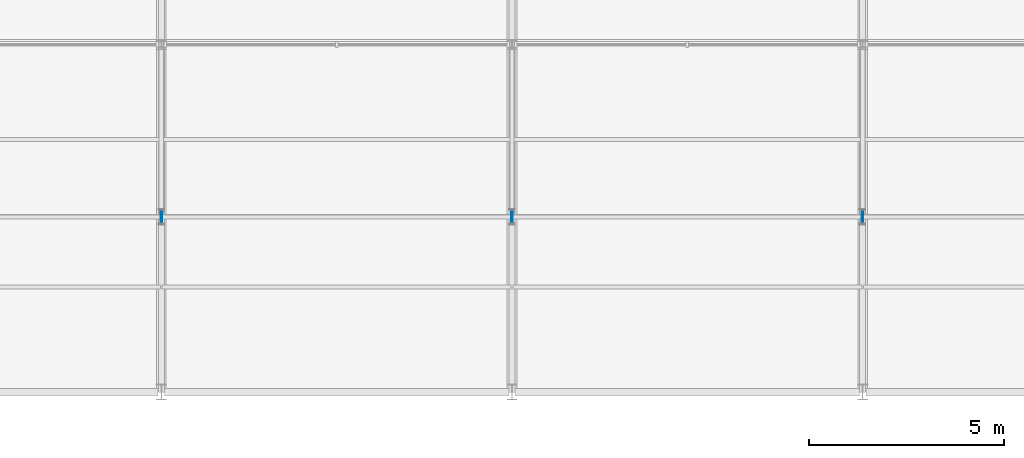
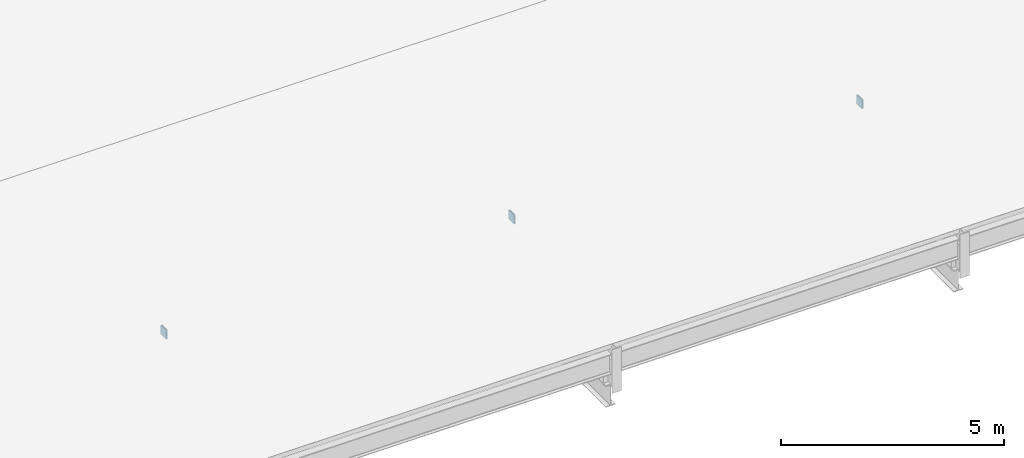
# One storey, part 134 of 163: 6 plates.
"""IFC4 building model written with IfcOpenShell, lengths in metres."""

from ifc_helpers import new_model, si_unit, direction, frame, origin, origin_2d, place, context, subcontext, project, spatial, rectangle, extrude, material, layer, layer_set, type_object, element, save


model = new_model("IFC4")

# Units and contexts
model_context = context("Model", 3, precision=1e-05, world=origin(), true_north=direction((0.0, 1.0)))
body_context = subcontext(model_context, "Body", "Model", "MODEL_VIEW")
ifc_project = project(units=[si_unit("LENGTHUNIT", "METRE"), si_unit("AREAUNIT", "SQUARE_METRE"), si_unit("VOLUMEUNIT", "CUBIC_METRE"), si_unit("PLANEANGLEUNIT", "RADIAN"), si_unit("MASSUNIT", "GRAM", prefix="KILO")], contexts=[model_context])

# Site, building, storey
site_placement = place(None, origin())
site = spatial("IfcSite", under=ifc_project, at=site_placement, CompositionType="ELEMENT")
building_placement = place(site_placement, origin())
building = spatial("IfcBuilding", under=site, at=building_placement, Name="Tharagai Park Tramway Depot", CompositionType="ELEMENT")
storey_placement = place(building_placement, frame((0.0, 0.0, 8.39990234375)))
storey = spatial("IfcBuildingStorey", under=building, at=storey_placement, Name="L02", CompositionType="ELEMENT", Elevation=8.39990234375)

# Plates
ifc_material = material(Name="Steel E350", Category="steel")
ifc_layer = layer(ifc_material, 0.011962890625)
ifc_layer_set = layer_set([ifc_layer], Name="Steel E350")
plate_type = type_object("IfcPlateType", Name="GP-04", PredefinedType="SHEET", material=ifc_layer_set)
for number, where, z_axis, x_axis, name in (
    (1, (98.986083984375, 94.5, 1.821533203125), (0.0, 0.0, 1.0), (1.0, 0.0, 0.0), "Tube End Cap Plate GP-04"),
    (2, (99.013916015625, 94.5, 1.821533203125), (0.0, 0.0, 1.0), (1.0, 0.0, 0.0), "Tube End Cap Plate GP-04"),
    (3, (107.986083984375, 94.5, 1.821533203125), (0.0, 0.0, 1.0), (1.0, 0.0, 0.0), "Tube End Cap Plate GP-04"),
    (4, (108.013916015625, 94.5, 1.821533203125), (0.0, 0.0, 1.0), (1.0, 0.0, 0.0), "Tube End Cap Plate GP-04"),
    (5, (116.986083984375, 94.5, 1.821533203125), (0.0, 0.0, 1.0), (1.0, 0.0, 0.0), "Tube End Cap Plate GP-04"),
    (6, (117.013916015625, 94.5, 1.821533203125), (0.0, 0.0, 1.0), (1.0, 0.0, 0.0), "Tube End Cap Plate GP-04"),
):
    element("IfcPlate", number, at=place(storey_placement, frame(where, z_axis=z_axis, x_axis=x_axis)), inside=storey, type_object=plate_type, Name=name, PredefinedType="SHEET", context=body_context, shape_type="SweptSolid", body=[
        extrude(rectangle(XDim=0.011962890625, YDim=0.25, at=origin_2d()), origin(), (0.0, 0.0, 1.0), 0.25),
    ])

save(model, "model.ifc")
